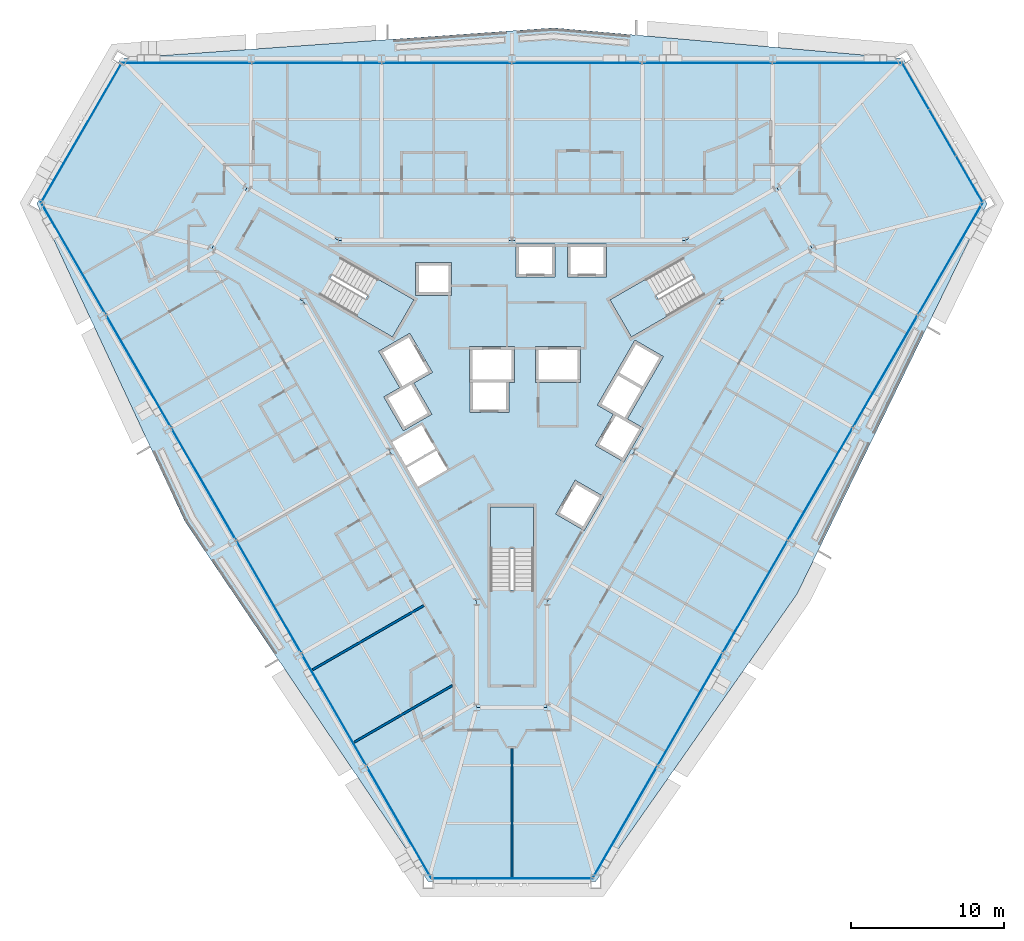
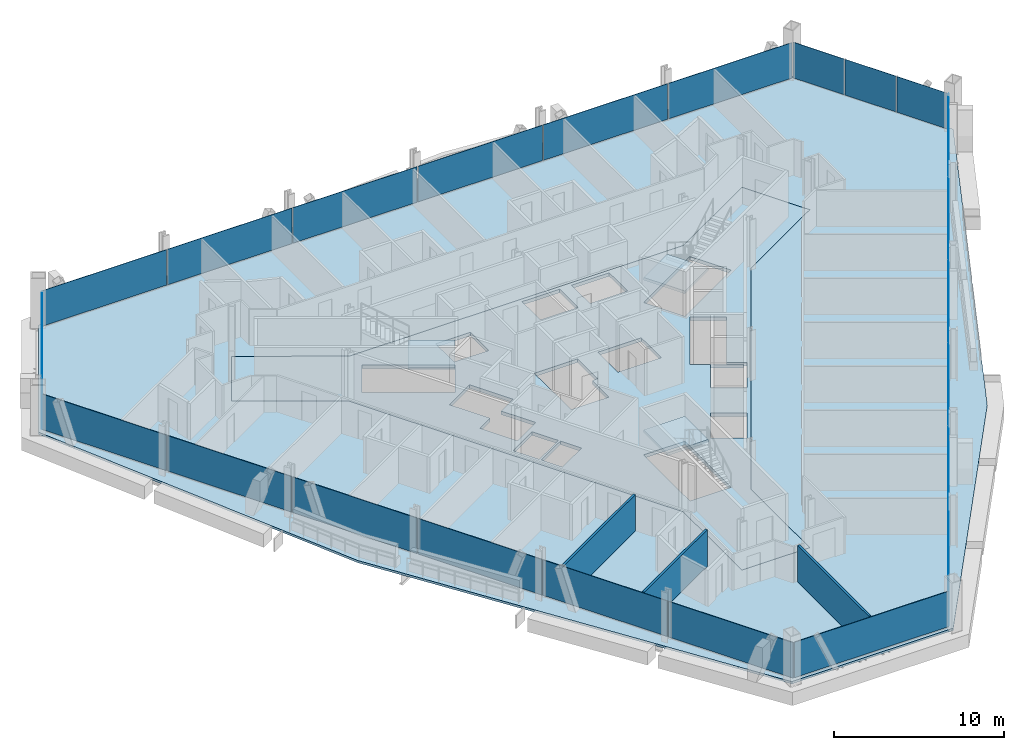
# One storey, part 11 of 18: 23 plates, 5 slabs, 3 walls, 9 elements without a shape of their own.
"""IFC4 building model written with IfcOpenShell, lengths in metres."""

from ifc_helpers import new_model, si_unit, direction, frame, frame_2d, origin, origin_2d, place, context, subcontext, project, spatial, polyline, rectangle, outline, extrude, material, layer, layer_set, type_object, element, aggregate, save


model = new_model("IFC4")

# Units and contexts
model_context = context("Model", 3, precision=1e-05, world=origin(), true_north=direction((0.0, 1.0)))
body_context = subcontext(model_context, "Body", "Model", "MODEL_VIEW")
ifc_project = project(units=[si_unit("LENGTHUNIT", "METRE"), si_unit("AREAUNIT", "SQUARE_METRE"), si_unit("VOLUMEUNIT", "CUBIC_METRE"), si_unit("PLANEANGLEUNIT", "RADIAN"), si_unit("MASSUNIT", "GRAM", prefix="KILO")], contexts=[model_context])

# Site, building, storey
site_placement = place(None, origin())
site = spatial("IfcSite", under=ifc_project, at=site_placement, CompositionType="ELEMENT")
building_placement = place(site_placement, origin())
building = spatial("IfcBuilding", under=site, at=building_placement, Name="Verrane Prism Tower", CompositionType="ELEMENT")
storey_placement = place(building_placement, frame((0.0, 0.0, 54.800048828125)))
storey = spatial("IfcBuildingStorey", under=building, at=storey_placement, Name="L11", CompositionType="ELEMENT", Elevation=54.800048828125)

# Slabs
ifc_material_1 = material(Name="Concrete C35/45", Category="concrete")
ifc_layer_1 = layer(ifc_material_1, 0.159912109375)
ifc_layer_set_1 = layer_set([ifc_layer_1], Name="Composite floor slab")
slab_type_1 = type_object("IfcSlabType", Name="Composite floor slab", PredefinedType="FLOOR", material=ifc_layer_set_1)
slab_1_placement = place(storey_placement, frame((0.0, 0.0, -0.16015625)))
element("IfcSlab", 1, at=slab_1_placement, inside=storey, type_object=slab_type_1, Name="Floor slab L11", PredefinedType="FLOOR", context=body_context, shape_type="SweptSolid", body=[
    extrude(outline(polyline([(18.61669921875, -13.89501953125), (5.472900390625, -32.660400390625), (-5.472900390625, -32.660400390625), (-21.341796875, -9.1748046875), (-31.021240234375, 11.590576171875), (-25.54833984375, 21.070068359375), (2.72509765625, 23.070068359375), (25.54833984375, 21.070068359375), (31.021240234375, 11.590576171875), (18.61669921875, -13.89501953125)]), holes=[polyline([(19.60009765625, 8.659912109375), (17.300048828125, 12.639892578125), (11.330078125, 9.199951171875), (0.0, 9.199951171875), (-11.330078125, 9.199951171875), (-17.300048828125, 12.639892578125), (-19.60009765625, 8.659912109375), (-13.6298828125, 5.219970703125), (-7.969970703125, -4.60009765625), (-2.300048828125, -14.419921875), (-2.300048828125, -21.300048828125), (2.300048828125, -21.300048828125), (2.300048828125, -14.419921875), (7.969970703125, -4.60009765625), (13.6298828125, 5.219970703125), (19.60009765625, 8.659912109375)])]), origin(), (0.0, 0.0, 1.0), 0.16015625),
])
ifc_material_2 = material(Name="Concrete C40/50", Category="concrete")
ifc_layer_2 = layer(ifc_material_2, 0.25)
ifc_layer_set_2 = layer_set([ifc_layer_2], Name="Core floor slab 250 concrete C40/50")
slab_type_2 = type_object("IfcSlabType", Name="Core floor slab 250 concrete C40/50", PredefinedType="FLOOR", material=ifc_layer_set_2)
slab_2_placement = place(storey_placement, frame((0.0, 0.0, -0.25)))
element("IfcSlab", 2, at=slab_2_placement, inside=storey, type_object=slab_type_2, Name="Core floor L11", PredefinedType="FLOOR", context=body_context, shape_type="SweptSolid", body=[
    extrude(outline(polyline([(13.6298828125, 5.219970703125), (19.60009765625, 8.659912109375), (17.300048828125, 12.639892578125), (11.330078125, 9.199951171875), (0.0, 9.199951171875), (-11.330078125, 9.199951171875), (-17.300048828125, 12.639892578125), (-19.60009765625, 8.659912109375), (-13.6298828125, 5.219970703125), (-7.969970703125, -4.60009765625), (-2.300048828125, -14.419921875), (-2.300048828125, -21.300048828125), (2.300048828125, -21.300048828125), (2.300048828125, -14.419921875), (7.969970703125, -4.60009765625), (13.6298828125, 5.219970703125)]), holes=[polyline([(1.39990234375, -8.199951171875), (1.39990234375, -13.639892578125), (-1.39990234375, -13.639892578125), (-1.39990234375, -8.199951171875), (1.39990234375, -8.199951171875)]), polyline([(-4.215087890625, -5.77099609375), (-6.14208984375, -6.883056640625), (-6.85400390625, -5.64599609375), (-4.928955078125, -4.533935546875), (-4.215087890625, -5.77099609375)]), polyline([(-5.0029296875, -4.404052734375), (-6.929931640625, -5.51708984375), (-7.819091796875, -3.97705078125), (-5.89306640625, -2.864013671875), (-5.0029296875, -4.404052734375)]), polyline([(0.1650390625, 2.25), (0.1650390625, -0.10009765625), (-0.205078125, -0.10009765625), (-0.205078125, -2.050048828125), (-2.7548828125, -2.050048828125), (-2.7548828125, -0.10009765625), (-2.784912109375, -0.10009765625), (-2.784912109375, 2.25), (0.1650390625, 2.25)]), polyline([(-12.512939453125, 5.60791015625), (-11.113037109375, 8.031982421875), (-6.40087890625, 5.31201171875), (-7.801025390625, 2.887939453125), (-12.512939453125, 5.60791015625)]), polyline([(-6.284912109375, 5.610107421875), (-6.284912109375, 7.760009765625), (-3.93505859375, 7.760009765625), (-3.93505859375, 5.610107421875), (-6.284912109375, 5.610107421875)]), polyline([(4.717041015625, -9.75), (2.85498046875, -8.675048828125), (4.1298828125, -6.466064453125), (5.991943359375, -7.541015625), (4.717041015625, -9.75)]), polyline([(8.303955078125, -3.136962890625), (5.575927734375, -1.56201171875), (8.02587890625, 2.680908203125), (9.887939453125, 1.60595703125), (7.5380859375, -2.464111328125), (8.576904296875, -3.06396484375), (7.302001953125, -5.27197265625), (5.43994140625, -4.197021484375), (6.614990234375, -2.162109375), (8.303955078125, -3.136962890625)]), polyline([(1.52490234375, -0.10009765625), (1.52490234375, 2.25), (4.47509765625, 2.25), (4.47509765625, -0.10009765625), (1.52490234375, -0.10009765625)]), polyline([(6.40087890625, 5.31201171875), (11.113037109375, 8.031982421875), (12.512939453125, 5.60791015625), (7.801025390625, 2.887939453125), (6.40087890625, 5.31201171875)]), polyline([(0.264892578125, 6.81005859375), (0.264892578125, 8.9599609375), (2.81494140625, 8.9599609375), (2.81494140625, 6.81005859375), (0.264892578125, 6.81005859375)]), polyline([(3.625, 6.81005859375), (3.625, 8.9599609375), (6.175048828125, 8.9599609375), (6.175048828125, 6.81005859375), (3.625, 6.81005859375)]), polyline([(-5.23095703125, -2.159912109375), (-7.093017578125, -3.235107421875), (-8.367919921875, -1.02587890625), (-7.3291015625, -0.426025390625), (-8.7041015625, 1.955078125), (-6.66796875, 3.1298828125), (-5.193115234375, 0.574951171875), (-6.406005859375, -0.125), (-5.23095703125, -2.159912109375)])]), origin(), (0.0, 0.0, 1.0), 0.25),
])

# Curtain wall, plates
ifc_material_3 = material(Name="Aluminium framed insulated glazing", Category="aluminium")
curtain_wall_type_1 = type_object("IfcCurtainWallType", Name="Curtain wall CW-C 4200 module", PredefinedType="NOTDEFINED", material=ifc_material_3)
curtain_wall_1_placement = place(storey_placement, origin())
curtain_wall_1 = element("IfcCurtainWall", 3, at=curtain_wall_1_placement, inside=storey, type_object=curtain_wall_type_1, Name="Glazed curtain wall north-east corner L11", PredefinedType="NOTDEFINED")
ifc_material_4 = material(Name="Low-iron insulating glass unit", Category="glass")
ifc_layer_3 = layer(ifc_material_4, 0.02392578125)
ifc_layer_set_3 = layer_set([ifc_layer_3], Name="Glazing panel IGU 24")
plate_type_1 = type_object("IfcPlateType", Name="Glazing panel IGU 24", PredefinedType="CURTAIN_PANEL", material=ifc_layer_set_3)
plate_1_placement = place(storey_placement, frame((29.85888671875, 13.1982421875, 0.0498046875), z_axis=(0.0, 0.0, 1.0), x_axis=(-0.499998785495, 0.866026104978, 0.0)))
plate_1 = element("IfcPlate", 4, at=plate_1_placement, type_object=plate_type_1, Name="CW09.1 panel 1", PredefinedType="CURTAIN_PANEL", context=body_context, shape_type="SweptSolid", body=[
    extrude(rectangle(XDim=3.43701171875, YDim=0.02392578125, at=origin_2d()), origin(), (0.0, 0.0, 1.0), 2.56298828125),
])
plate_2_placement = place(storey_placement, frame((28.109130859375, 16.228759765625, 0.0498046875), z_axis=(0.0, 0.0, 1.0), x_axis=(-0.499998785495, 0.866026104978, 0.0)))
plate_2 = element("IfcPlate", 5, at=plate_2_placement, type_object=plate_type_1, Name="CW09.1 panel 2", PredefinedType="CURTAIN_PANEL", context=body_context, shape_type="SweptSolid", body=[
    extrude(rectangle(XDim=3.4619140625, YDim=0.02392578125, at=origin_2d()), origin(), (0.0, 0.0, 1.0), 2.56298828125),
])
plate_3_placement = place(storey_placement, frame((26.346923828125, 19.281005859375, 0.0498046875), z_axis=(0.0, 0.0, 1.0), x_axis=(-0.499998785495, 0.866026104978, 0.0)))
plate_3 = element("IfcPlate", 6, at=plate_3_placement, type_object=plate_type_1, Name="CW09.1 panel 3", PredefinedType="CURTAIN_PANEL", context=body_context, shape_type="SweptSolid", body=[
    extrude(rectangle(XDim=3.487060546875, YDim=0.02392578125, at=origin_2d()), origin(), (0.0, 0.0, 1.0), 2.56298828125),
])
aggregate(curtain_wall_1, [plate_1, plate_2, plate_3])

ifc_material_5 = material(Name="Aluminium framed insulated glazing", Category="aluminium")
curtain_wall_type_2 = type_object("IfcCurtainWallType", Name="Curtain wall CW-A 8400 module", PredefinedType="NOTDEFINED", material=ifc_material_5)
curtain_wall_2_placement = place(storey_placement, origin())
curtain_wall_2 = element("IfcCurtainWall", 7, at=curtain_wall_2_placement, inside=storey, type_object=curtain_wall_type_2, Name="Glazed curtain wall north face L11", PredefinedType="NOTDEFINED")
ifc_material_6 = material(Name="Low-iron insulating glass unit", Category="glass")
ifc_layer_4 = layer(ifc_material_6, 0.031982421875)
ifc_layer_set_4 = layer_set([ifc_layer_4], Name="Glazing panel IGU 32")
plate_type_2 = type_object("IfcPlateType", Name="Glazing panel IGU 32", PredefinedType="CURTAIN_PANEL", material=ifc_layer_set_4)
plate_4_placement = place(storey_placement, frame((21.2119140625, 20.791015625, 0.06982421875), z_axis=(0.0, 0.0, 1.0), x_axis=(-1.0, 0.0, 0.0)))
plate_4 = element("IfcPlate", 8, at=plate_4_placement, type_object=plate_type_2, Name="CW09.2 panel 1", PredefinedType="CURTAIN_PANEL", context=body_context, shape_type="SweptSolid", body=[
    extrude(rectangle(XDim=8.38671875, YDim=0.031982421875, at=origin_2d()), origin(), (0.0, 0.0, 1.0), 2.54296875),
])
plate_5_placement = place(storey_placement, frame((12.737548828125, 20.791015625, 0.06982421875), z_axis=(0.0, 0.0, 1.0), x_axis=(-1.0, 0.0, 0.0)))
plate_5 = element("IfcPlate", 9, at=plate_5_placement, type_object=plate_type_2, Name="CW09.2 panel 2", PredefinedType="CURTAIN_PANEL", context=body_context, shape_type="SweptSolid", body=[
    extrude(rectangle(XDim=8.421630859375, YDim=0.031982421875, at=origin_2d()), origin(), (0.0, 0.0, 1.0), 2.54296875),
])
plate_6_placement = place(storey_placement, frame((4.245849609375, 20.791015625, 0.06982421875), z_axis=(0.0, 0.0, 1.0), x_axis=(-1.0, 0.0, 0.0)))
plate_6 = element("IfcPlate", 10, at=plate_6_placement, type_object=plate_type_2, Name="CW09.2 panel 3", PredefinedType="CURTAIN_PANEL", context=body_context, shape_type="SweptSolid", body=[
    extrude(rectangle(XDim=8.421630859375, YDim=0.031982421875, at=origin_2d()), origin(), (0.0, 0.0, 1.0), 2.54296875),
])
plate_7_placement = place(storey_placement, frame((-4.245849609375, 20.791015625, 0.06982421875), z_axis=(0.0, 0.0, 1.0), x_axis=(-1.0, 0.0, 0.0)))
plate_7 = element("IfcPlate", 11, at=plate_7_placement, type_object=plate_type_2, Name="CW09.2 panel 4", PredefinedType="CURTAIN_PANEL", context=body_context, shape_type="SweptSolid", body=[
    extrude(rectangle(XDim=8.421630859375, YDim=0.031982421875, at=origin_2d()), origin(), (0.0, 0.0, 1.0), 2.54296875),
])
plate_8_placement = place(storey_placement, frame((-12.737548828125, 20.791015625, 0.06982421875), z_axis=(0.0, 0.0, 1.0), x_axis=(-1.0, 0.0, 0.0)))
plate_8 = element("IfcPlate", 12, at=plate_8_placement, type_object=plate_type_2, Name="CW09.2 panel 5", PredefinedType="CURTAIN_PANEL", context=body_context, shape_type="SweptSolid", body=[
    extrude(rectangle(XDim=8.421630859375, YDim=0.031982421875, at=origin_2d()), origin(), (0.0, 0.0, 1.0), 2.54296875),
])
plate_9_placement = place(storey_placement, frame((-21.246826171875, 20.791015625, 0.06982421875), z_axis=(0.0, 0.0, 1.0), x_axis=(-1.0, 0.0, 0.0)))
plate_9 = element("IfcPlate", 13, at=plate_9_placement, type_object=plate_type_2, Name="CW09.2 panel 6", PredefinedType="CURTAIN_PANEL", context=body_context, shape_type="SweptSolid", body=[
    extrude(rectangle(XDim=8.456787109375, YDim=0.031982421875, at=origin_2d()), origin(), (0.0, 0.0, 1.0), 2.54296875),
])
aggregate(curtain_wall_2, [plate_4, plate_5, plate_6, plate_7, plate_8, plate_9])

# Curtain wall, plate
curtain_wall_3_placement = place(storey_placement, origin())
curtain_wall_3 = element("IfcCurtainWall", 14, at=curtain_wall_3_placement, inside=storey, type_object=curtain_wall_type_2, Name="Glazed curtain wall north-west corner L11", PredefinedType="NOTDEFINED")
plate_10_placement = place(storey_placement, frame((-28.126708984375, 16.198486328125, 0.06982421875), z_axis=(0.0, 0.0, 1.0), x_axis=(-0.499998785495, -0.866026104978, 0.0)))
plate_10 = element("IfcPlate", 15, at=plate_10_placement, type_object=plate_type_2, Name="CW09.3 panel 1", PredefinedType="CURTAIN_PANEL", context=body_context, shape_type="SweptSolid", body=[
    extrude(rectangle(XDim=10.4658203125, YDim=0.031982421875, at=origin_2d()), origin(), (0.0, 0.0, 1.0), 2.54296875),
])
aggregate(curtain_wall_3, [plate_10])

# Curtain wall, plates
curtain_wall_4_placement = place(storey_placement, origin())
curtain_wall_4 = element("IfcCurtainWall", 16, at=curtain_wall_4_placement, inside=storey, type_object=curtain_wall_type_2, Name="Glazed curtain wall south-west face L11", PredefinedType="NOTDEFINED")
plate_11_placement = place(storey_placement, frame((-28.611328125, 7.974609375, 0.06982421875), z_axis=(0.0, 0.0, 1.0), x_axis=(0.499999496308, -0.866025694591, 0.0)))
plate_11 = element("IfcPlate", 17, at=plate_11_placement, type_object=plate_type_2, Name="CW09.4 panel 1", PredefinedType="CURTAIN_PANEL", context=body_context, shape_type="SweptSolid", body=[
    extrude(rectangle(XDim=8.38671875, YDim=0.031982421875, at=origin_2d()), origin(), (0.0, 0.0, 1.0), 2.54296875),
])
plate_12_placement = place(storey_placement, frame((-24.374267578125, 0.635498046875, 0.06982421875), z_axis=(0.0, 0.0, 1.0), x_axis=(0.499999496308, -0.866025694591, 0.0)))
plate_12 = element("IfcPlate", 18, at=plate_12_placement, type_object=plate_type_2, Name="CW09.4 panel 2", PredefinedType="CURTAIN_PANEL", context=body_context, shape_type="SweptSolid", body=[
    extrude(rectangle(XDim=8.421630859375, YDim=0.031982421875, at=origin_2d()), origin(), (0.0, 0.0, 1.0), 2.54296875),
])
plate_13_placement = place(storey_placement, frame((-20.12841796875, -6.718505859375, 0.06982421875), z_axis=(0.0, 0.0, 1.0), x_axis=(0.499999496308, -0.866025694591, 0.0)))
plate_13 = element("IfcPlate", 19, at=plate_13_placement, type_object=plate_type_2, Name="CW09.4 panel 3", PredefinedType="CURTAIN_PANEL", context=body_context, shape_type="SweptSolid", body=[
    extrude(rectangle(XDim=8.421630859375, YDim=0.031982421875, at=origin_2d()), origin(), (0.0, 0.0, 1.0), 2.54296875),
])
plate_14_placement = place(storey_placement, frame((-15.882568359375, -14.072509765625, 0.06982421875), z_axis=(0.0, 0.0, 1.0), x_axis=(0.499999496308, -0.866025694591, 0.0)))
plate_14 = element("IfcPlate", 20, at=plate_14_placement, type_object=plate_type_2, Name="CW09.4 panel 4", PredefinedType="CURTAIN_PANEL", context=body_context, shape_type="SweptSolid", body=[
    extrude(rectangle(XDim=8.421630859375, YDim=0.031982421875, at=origin_2d()), origin(), (0.0, 0.0, 1.0), 2.54296875),
])
plate_15_placement = place(storey_placement, frame((-11.63671875, -21.426513671875, 0.06982421875), z_axis=(0.0, 0.0, 1.0), x_axis=(0.499999496308, -0.866025694591, 0.0)))
plate_15 = element("IfcPlate", 21, at=plate_15_placement, type_object=plate_type_2, Name="CW09.4 panel 5", PredefinedType="CURTAIN_PANEL", context=body_context, shape_type="SweptSolid", body=[
    extrude(rectangle(XDim=8.421630859375, YDim=0.031982421875, at=origin_2d()), origin(), (0.0, 0.0, 1.0), 2.54296875),
])
plate_16_placement = place(storey_placement, frame((-7.382080078125, -28.7958984375, 0.06982421875), z_axis=(0.0, 0.0, 1.0), x_axis=(0.499999496308, -0.866025694591, 0.0)))
plate_16 = element("IfcPlate", 22, at=plate_16_placement, type_object=plate_type_2, Name="CW09.4 panel 6", PredefinedType="CURTAIN_PANEL", context=body_context, shape_type="SweptSolid", body=[
    extrude(rectangle(XDim=8.456787109375, YDim=0.031982421875, at=origin_2d()), origin(), (0.0, 0.0, 1.0), 2.54296875),
])
aggregate(curtain_wall_4, [plate_11, plate_12, plate_13, plate_14, plate_15, plate_16])

# Curtain wall, plate
curtain_wall_5_placement = place(storey_placement, origin())
curtain_wall_5 = element("IfcCurtainWall", 23, at=curtain_wall_5_placement, inside=storey, type_object=curtain_wall_type_2, Name="Glazed curtain wall south corner L11", PredefinedType="NOTDEFINED")
plate_17_placement = place(storey_placement, frame((0.034912109375, -32.457763671875, 0.06982421875), z_axis=(0.0, 0.0, 1.0), x_axis=(1.0, 0.0, 0.0)))
plate_17 = element("IfcPlate", 24, at=plate_17_placement, type_object=plate_type_2, Name="CW09.5 panel 1", PredefinedType="CURTAIN_PANEL", context=body_context, shape_type="SweptSolid", body=[
    extrude(rectangle(XDim=10.4658203125, YDim=0.031982421875, at=origin_2d()), origin(), (0.0, 0.0, 1.0), 2.54296875),
])
aggregate(curtain_wall_5, [plate_17])

# Curtain wall, plates
curtain_wall_6_placement = place(storey_placement, origin())
curtain_wall_6 = element("IfcCurtainWall", 25, at=curtain_wall_6_placement, inside=storey, type_object=curtain_wall_type_2, Name="Glazed curtain wall south-east face L11", PredefinedType="NOTDEFINED")
plate_18_placement = place(storey_placement, frame((7.399658203125, -28.765625, 0.06982421875), z_axis=(0.0, 0.0, 1.0), x_axis=(0.499999496308, 0.866025694591, 0.0)))
plate_18 = element("IfcPlate", 26, at=plate_18_placement, type_object=plate_type_2, Name="CW09.6 panel 1", PredefinedType="CURTAIN_PANEL", context=body_context, shape_type="SweptSolid", body=[
    extrude(rectangle(XDim=8.38671875, YDim=0.031982421875, at=origin_2d()), origin(), (0.0, 0.0, 1.0), 2.54296875),
])
plate_19_placement = place(storey_placement, frame((11.63671875, -21.426513671875, 0.06982421875), z_axis=(0.0, 0.0, 1.0), x_axis=(0.499999496308, 0.866025694591, 0.0)))
plate_19 = element("IfcPlate", 27, at=plate_19_placement, type_object=plate_type_2, Name="CW09.6 panel 2", PredefinedType="CURTAIN_PANEL", context=body_context, shape_type="SweptSolid", body=[
    extrude(rectangle(XDim=8.421630859375, YDim=0.031982421875, at=origin_2d()), origin(), (0.0, 0.0, 1.0), 2.54296875),
])
plate_20_placement = place(storey_placement, frame((15.882568359375, -14.072509765625, 0.06982421875), z_axis=(0.0, 0.0, 1.0), x_axis=(0.499999496308, 0.866025694591, 0.0)))
plate_20 = element("IfcPlate", 28, at=plate_20_placement, type_object=plate_type_2, Name="CW09.6 panel 3", PredefinedType="CURTAIN_PANEL", context=body_context, shape_type="SweptSolid", body=[
    extrude(rectangle(XDim=8.421630859375, YDim=0.031982421875, at=origin_2d()), origin(), (0.0, 0.0, 1.0), 2.54296875),
])
plate_21_placement = place(storey_placement, frame((20.12841796875, -6.718505859375, 0.06982421875), z_axis=(0.0, 0.0, 1.0), x_axis=(0.499999496308, 0.866025694591, 0.0)))
plate_21 = element("IfcPlate", 29, at=plate_21_placement, type_object=plate_type_2, Name="CW09.6 panel 4", PredefinedType="CURTAIN_PANEL", context=body_context, shape_type="SweptSolid", body=[
    extrude(rectangle(XDim=8.421630859375, YDim=0.031982421875, at=origin_2d()), origin(), (0.0, 0.0, 1.0), 2.54296875),
])
plate_22_placement = place(storey_placement, frame((24.374267578125, 0.635498046875, 0.06982421875), z_axis=(0.0, 0.0, 1.0), x_axis=(0.499999496308, 0.866025694591, 0.0)))
plate_22 = element("IfcPlate", 30, at=plate_22_placement, type_object=plate_type_2, Name="CW09.6 panel 5", PredefinedType="CURTAIN_PANEL", context=body_context, shape_type="SweptSolid", body=[
    extrude(rectangle(XDim=8.421630859375, YDim=0.031982421875, at=origin_2d()), origin(), (0.0, 0.0, 1.0), 2.54296875),
])
plate_23_placement = place(storey_placement, frame((28.62890625, 8.0048828125, 0.06982421875), z_axis=(0.0, 0.0, 1.0), x_axis=(0.499999496308, 0.866025694591, 0.0)))
plate_23 = element("IfcPlate", 31, at=plate_23_placement, type_object=plate_type_2, Name="CW09.6 panel 6", PredefinedType="CURTAIN_PANEL", context=body_context, shape_type="SweptSolid", body=[
    extrude(rectangle(XDim=8.456787109375, YDim=0.031982421875, at=origin_2d()), origin(), (0.0, 0.0, 1.0), 2.54296875),
])
aggregate(curtain_wall_6, [plate_18, plate_19, plate_20, plate_21, plate_22, plate_23])

# Stair, slab
ifc_material_7 = material(Name="Concrete C40/50", Category="concrete")
stair_type = type_object("IfcStairType", Name="Exit stair 1300 dog-leg precast concrete C40/50", PredefinedType="HALF_TURN_STAIR", material=ifc_material_7)
stair_1_placement = place(storey_placement, origin())
stair_1 = element("IfcStair", 32, at=stair_1_placement, inside=storey, type_object=stair_type, Name="Stair 1 L11", PredefinedType="HALF_TURN_STAIR")
ifc_material_8 = material(Name="Concrete C40/50", Category="concrete")
ifc_layer_5 = layer(ifc_material_8, 0.199951171875)
ifc_layer_set_5 = layer_set([ifc_layer_5], Name="Stair landing 200 precast concrete C40/50")
slab_type_3 = type_object("IfcSlabType", Name="Stair landing 200 precast concrete C40/50", PredefinedType="LANDING", material=ifc_layer_set_5)
slab_3_placement = place(storey_placement, frame((0.0, 0.0, 1.599853515625)))
slab_3 = element("IfcSlab", 33, at=slab_3_placement, type_object=slab_type_3, Name="Stair 1 landing 1", PredefinedType="LANDING", context=body_context, shape_type="SweptSolid", body=[
    extrude(outline(polyline([(8.791748046875, 6.6923828125), (6.4013671875, 5.3125), (7.801513671875, 2.887451171875), (10.191650390625, 4.267578125), (8.791748046875, 6.6923828125)])), origin(), (0.0, 0.0, 1.0), 0.2001953125),
])
aggregate(stair_1, [slab_3])

stair_2_placement = place(storey_placement, origin())
stair_2 = element("IfcStair", 34, at=stair_2_placement, inside=storey, type_object=stair_type, Name="Stair 2 L11", PredefinedType="HALF_TURN_STAIR")
slab_4_placement = place(storey_placement, frame((0.0, 0.0, 1.599853515625)))
slab_4 = element("IfcSlab", 35, at=slab_4_placement, type_object=slab_type_3, Name="Stair 2 landing 1", PredefinedType="LANDING", context=body_context, shape_type="SweptSolid", body=[
    extrude(outline(polyline([(-10.191650390625, 4.267578125), (-7.801513671875, 2.887451171875), (-6.4013671875, 5.3125), (-8.791748046875, 6.6923828125), (-10.191650390625, 4.267578125)])), origin(), (0.0, 0.0, 1.0), 0.2001953125),
])
aggregate(stair_2, [slab_4])

stair_3_placement = place(storey_placement, origin())
stair_3 = element("IfcStair", 36, at=stair_3_placement, inside=storey, type_object=stair_type, Name="Stair 3 L11", PredefinedType="HALF_TURN_STAIR")
slab_5_placement = place(storey_placement, frame((0.0, 0.0, 1.599853515625)))
slab_5 = element("IfcSlab", 37, at=slab_5_placement, type_object=slab_type_3, Name="Stair 3 landing 1", PredefinedType="LANDING", context=body_context, shape_type="SweptSolid", body=[
    extrude(outline(polyline([(1.39990234375, -10.9599609375), (1.39990234375, -8.199951171875), (-1.39990234375, -8.199951171875), (-1.39990234375, -10.9599609375), (1.39990234375, -10.9599609375)])), origin(), (0.0, 0.0, 1.0), 0.2001953125),
])
aggregate(stair_3, [slab_5])

# Walls
ifc_material_9 = material(Name="Gypsum board partition", Category="other")
ifc_layer_6 = layer(ifc_material_9, 0.14990234375)
ifc_layer_set_6 = layer_set([ifc_layer_6], Name="PW-150 demising wall 1 h")
wall_type = type_object("IfcWallType", Name="PW-150 demising wall 1 h", PredefinedType="PARTITIONING", material=ifc_layer_set_6)
wall_1_placement = place(storey_placement, frame((-13.017822265625, -18.842041015625, 0.0), z_axis=(0.0, 0.0, 1.0), x_axis=(0.866003398047, 0.500038113118, 0.0)))
element("IfcWall", 38, at=wall_1_placement, inside=storey, type_object=wall_type, Name="Demising wall 030", PredefinedType="PARTITIONING", context=body_context, shape_type="SweptSolid", body=[
    extrude(rectangle(XDim=8.390869140625, YDim=0.14990234375, at=frame_2d((4.1953125, 0.0))), origin(), (0.0, 0.0, 1.0), 2.613037109375),
])
wall_2_placement = place(storey_placement, frame((-10.29052734375, -23.56591796875, 0.0), z_axis=(0.0, 0.0, 1.0), x_axis=(0.866034694959, 0.499983906869, 0.0)))
element("IfcWall", 39, at=wall_2_placement, inside=storey, type_object=wall_type, Name="Demising wall 035", PredefinedType="PARTITIONING", context=body_context, shape_type="SweptSolid", body=[
    extrude(rectangle(XDim=7.382568359375, YDim=0.14990234375, at=frame_2d((3.69140625, 0.0))), origin(), (0.0, 0.0, 1.0), 2.613037109375),
])
wall_3_placement = place(storey_placement, frame((0.0, -32.362060546875, 0.0), z_axis=(0.0, 0.0, 1.0), x_axis=(0.0, 1.0, 0.0)))
element("IfcWall", 40, at=wall_3_placement, inside=storey, type_object=wall_type, Name="Demising wall 052", PredefinedType="PARTITIONING", context=body_context, shape_type="SweptSolid", body=[
    extrude(rectangle(XDim=8.3916015625, YDim=0.14990234375, at=frame_2d((4.19580078125, 0.0))), origin(), (0.0, 0.0, 1.0), 2.613037109375),
])

save(model, "model.ifc")
